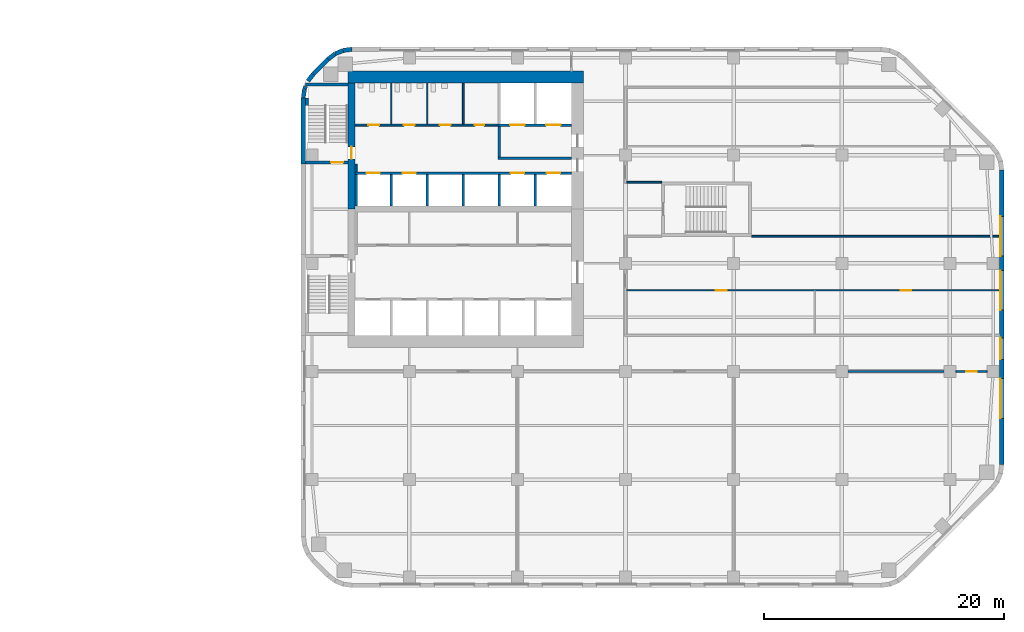
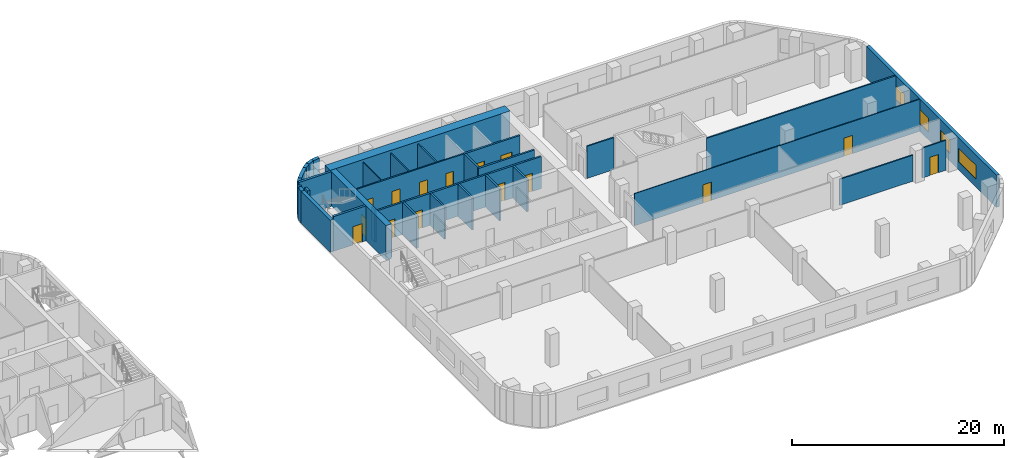
# One storey, part 10 of 15: 34 walls, 15 doors, 4 windows, 19 openings.
"""IFC4 building model written with IfcOpenShell, lengths in metres."""

from ifc_helpers import new_model, si_unit, direction, frame, frame_2d, origin, place, context, subcontext, project, spatial, rectangle, extrude, material, layer, layer_set, type_object, element, fill, save


model = new_model("IFC4")

# Units and contexts
model_context = context("Model", 3, precision=1e-05, world=origin(), true_north=direction((0.0, 1.0)))
body_context = subcontext(model_context, "Body", "Model", "MODEL_VIEW")
ifc_project = project(units=[si_unit("LENGTHUNIT", "METRE"), si_unit("AREAUNIT", "SQUARE_METRE"), si_unit("VOLUMEUNIT", "CUBIC_METRE"), si_unit("PLANEANGLEUNIT", "RADIAN"), si_unit("MASSUNIT", "GRAM", prefix="KILO")], contexts=[model_context])

# Site, building, storey
site_placement = place(None, origin())
site = spatial("IfcSite", under=ifc_project, at=site_placement, CompositionType="ELEMENT")
building_placement = place(site_placement, origin())
building = spatial("IfcBuilding", under=site, at=building_placement, Name="Cinnabar Reach Civic Tower", CompositionType="ELEMENT")
storey_placement = place(building_placement, frame((0.0, 0.0, 91.0)))
storey = spatial("IfcBuildingStorey", under=building, at=storey_placement, Name="L21", CompositionType="ELEMENT", Elevation=91.0)

# Walls
ifc_material_1 = material(Name="Facing brick with insulated backing", Category="masonry")
ifc_layer_1 = layer(ifc_material_1, 0.36)
ifc_layer_set_1 = layer_set([ifc_layer_1], Name="Brick corner wall")
wall_type_1 = type_object("IfcWallType", Name="Brick corner wall", PredefinedType="STANDARD", material=ifc_layer_set_1)
for number, where, z_axis, x_axis, name in (
    (1, (4.2314, 44.817, 0.0), (0.0, 0.0, 1.0), (-0.99144092581, -0.13055608231, 0.0), "Brick corner wall"),
    (2, (3.5027, 44.7181, 0.0), (0.0, 0.0, 1.0), (-0.923871547278, -0.382702709855, 0.0), "Brick corner wall"),
):
    element("IfcWall", number, at=place(storey_placement, frame(where, z_axis=z_axis, x_axis=x_axis)), inside=storey, type_object=wall_type_1, Name=name, PredefinedType="STANDARD", context=body_context, shape_type="SweptSolid", body=[
        extrude(rectangle(XDim=0.7131, YDim=0.36, at=frame_2d((0.3565, 0.0))), origin(), (0.0, 0.0, 1.0), 3.7),
    ])
for number, where, z_axis, x_axis, name in (
    (3, (2.8245, 44.434, 0.0), (0.0, 0.0, 1.0), (-0.793321924995, -0.608802368033, 0.0), "Brick corner wall"),
    (4, (1.0002, 42.7413, 0.0), (0.0, 0.0, 1.0), (-0.608802368033, -0.793321924995, 0.0), "Brick corner wall"),
):
    element("IfcWall", number, at=place(storey_placement, frame(where, z_axis=z_axis, x_axis=x_axis)), inside=storey, type_object=wall_type_1, Name=name, PredefinedType="STANDARD", context=body_context, shape_type="SweptSolid", body=[
        extrude(rectangle(XDim=0.7132, YDim=0.36, at=frame_2d((0.3566, 0.0))), origin(), (0.0, 0.0, 1.0), 3.7),
    ])
wall_1_placement = place(storey_placement, frame((0.3808, 41.736, 0.0), z_axis=(0.0, 0.0, 1.0), x_axis=(-0.382773360986, -0.923842277729, 0.0)))
element("IfcWall", 5, at=wall_1_placement, inside=storey, type_object=wall_type_1, Name="Brick corner wall", PredefinedType="STANDARD", context=body_context, shape_type="SweptSolid", body=[
    extrude(rectangle(XDim=0.2584, YDim=0.36, at=frame_2d((0.1292, 0.0))), origin(), (0.0, 0.0, 1.0), 3.7),
])
wall_2_placement = place(storey_placement, frame((0.2761, 41.4756, 0.0), z_axis=(0.0, 0.0, 1.0), x_axis=(-0.13055608231, -0.99144092581, 0.0)))
element("IfcWall", 6, at=wall_2_placement, inside=storey, type_object=wall_type_1, Name="Brick corner wall", PredefinedType="STANDARD", context=body_context, shape_type="SweptSolid", body=[
    extrude(rectangle(XDim=0.7131, YDim=0.36, at=frame_2d((0.3565, 0.0))), origin(), (0.0, 0.0, 1.0), 3.7),
])

# Wall, openings, windows
ifc_layer_2 = layer(ifc_material_1, 0.36)
ifc_layer_set_2 = layer_set([ifc_layer_2], Name="Brick pier and spandrel wall")
wall_type_2 = type_object("IfcWallType", Name="Brick pier and spandrel wall", PredefinedType="STANDARD", material=ifc_layer_set_2)
wall_3_placement = place(storey_placement, frame((58.32, 10.2426, 0.0), z_axis=(0.0, 0.0, 1.0), x_axis=(0.0, 1.0, 0.0)))
wall_3 = element("IfcWall", 7, at=wall_3_placement, inside=storey, type_object=wall_type_2, Name="Brick facade wall", PredefinedType="STANDARD", context=body_context, shape_type="SweptSolid", body=[
    extrude(rectangle(XDim=24.5148, YDim=0.36, at=frame_2d((12.2574, 0.0))), origin(), (0.0, 0.0, 1.0), 3.7),
])
opening_1_placement = place(wall_3_placement, frame((3.8574, 0.0, 0.9)))
opening_1 = element("IfcOpeningElement", 8, at=opening_1_placement, cuts=wall_3, Name="Opening W1439", PredefinedType="OPENING", context=body_context, shape_type="SweptSolid", body=[
    extrude(rectangle(XDim=3.3, YDim=1.6, at=frame_2d((1.65, 0.8))), frame((0.0, 0.19, 0.0), z_axis=(0.0, -1.0, 0.0), x_axis=(1.0, 0.0, 0.0)), (0.0, 0.0, 1.0), 0.38),
])
opening_2_placement = place(wall_3_placement, frame((8.7574, 0.0, 0.9)))
opening_2 = element("IfcOpeningElement", 9, at=opening_2_placement, cuts=wall_3, Name="Opening W1440", PredefinedType="OPENING", context=body_context, shape_type="SweptSolid", body=[
    extrude(rectangle(XDim=1.8, YDim=1.6, at=frame_2d((0.9, 0.8))), frame((0.0, 0.19, 0.0), z_axis=(0.0, -1.0, 0.0), x_axis=(1.0, 0.0, 0.0)), (0.0, 0.0, 1.0), 0.38),
])
opening_3_placement = place(wall_3_placement, frame((12.8574, 0.0, 0.9)))
opening_3 = element("IfcOpeningElement", 10, at=opening_3_placement, cuts=wall_3, Name="Opening W1441", PredefinedType="OPENING", context=body_context, shape_type="SweptSolid", body=[
    extrude(rectangle(XDim=3.3, YDim=1.6, at=frame_2d((1.65, 0.8))), frame((0.0, 0.19, 0.0), z_axis=(0.0, -1.0, 0.0), x_axis=(1.0, 0.0, 0.0)), (0.0, 0.0, 1.0), 0.38),
])
opening_4_placement = place(wall_3_placement, frame((17.3574, 0.0, 0.9)))
opening_4 = element("IfcOpeningElement", 11, at=opening_4_placement, cuts=wall_3, Name="Opening W1442", PredefinedType="OPENING", context=body_context, shape_type="SweptSolid", body=[
    extrude(rectangle(XDim=3.3, YDim=1.6, at=frame_2d((1.65, 0.8))), frame((0.0, 0.19, 0.0), z_axis=(0.0, -1.0, 0.0), x_axis=(1.0, 0.0, 0.0)), (0.0, 0.0, 1.0), 0.38),
])
ifc_material_2 = material(Name="Clear double glazing in aluminium frame", Category="aluminium")
window_type_1 = type_object("IfcWindowType", Name="Deep-set window A", PartitioningType="SINGLE_PANEL", PredefinedType="WINDOW", material=ifc_material_2)
window_1_placement = place(opening_1_placement, origin())
window_1 = element("IfcWindow", 12, at=window_1_placement, inside=storey, type_object=window_type_1, Name="Window east face", OverallHeight=1.6, OverallWidth=3.3, PartitioningType="SINGLE_PANEL", PredefinedType="WINDOW", context=body_context, shape_type="SweptSolid", body=[
    extrude(rectangle(XDim=3.3, YDim=1.6, at=frame_2d((1.65, 0.8))), frame((0.0, 0.13, 0.0), z_axis=(0.0, -1.0, 0.0), x_axis=(1.0, 0.0, 0.0)), (0.0, 0.0, 1.0), 0.06),
])
fill(opening_1, window_1)
window_2_placement = place(opening_3_placement, origin())
window_2 = element("IfcWindow", 13, at=window_2_placement, inside=storey, type_object=window_type_1, Name="Window east face", OverallHeight=1.6, OverallWidth=3.3, PartitioningType="SINGLE_PANEL", PredefinedType="WINDOW", context=body_context, shape_type="SweptSolid", body=[
    extrude(rectangle(XDim=3.3, YDim=1.6, at=frame_2d((1.65, 0.8))), frame((0.0, 0.13, 0.0), z_axis=(0.0, -1.0, 0.0), x_axis=(1.0, 0.0, 0.0)), (0.0, 0.0, 1.0), 0.06),
])
fill(opening_3, window_2)
window_3_placement = place(opening_4_placement, origin())
window_3 = element("IfcWindow", 14, at=window_3_placement, inside=storey, type_object=window_type_1, Name="Window east face", OverallHeight=1.6, OverallWidth=3.3, PartitioningType="SINGLE_PANEL", PredefinedType="WINDOW", context=body_context, shape_type="SweptSolid", body=[
    extrude(rectangle(XDim=3.3, YDim=1.6, at=frame_2d((1.65, 0.8))), frame((0.0, 0.13, 0.0), z_axis=(0.0, -1.0, 0.0), x_axis=(1.0, 0.0, 0.0)), (0.0, 0.0, 1.0), 0.06),
])
fill(opening_4, window_3)
window_type_2 = type_object("IfcWindowType", Name="Deep-set window D", PartitioningType="SINGLE_PANEL", PredefinedType="WINDOW", material=ifc_material_2)
window_4_placement = place(opening_2_placement, origin())
window_4 = element("IfcWindow", 15, at=window_4_placement, inside=storey, type_object=window_type_2, Name="Window east face", OverallHeight=1.6, OverallWidth=1.8, PartitioningType="SINGLE_PANEL", PredefinedType="WINDOW", context=body_context, shape_type="SweptSolid", body=[
    extrude(rectangle(XDim=1.8, YDim=1.6, at=frame_2d((0.9, 0.8))), frame((0.0, 0.13, 0.0), z_axis=(0.0, -1.0, 0.0), x_axis=(1.0, 0.0, 0.0)), (0.0, 0.0, 1.0), 0.06),
])
fill(opening_2, window_4)

# Walls
wall_4_placement = place(storey_placement, frame((2.2486, 43.994, 0.0), z_axis=(0.0, 0.0, 1.0), x_axis=(-0.707106781187, -0.707106781187, 0.0)))
element("IfcWall", 16, at=wall_4_placement, inside=storey, type_object=wall_type_2, Name="Brick facade wall", PredefinedType="STANDARD", context=body_context, shape_type="SweptSolid", body=[
    extrude(rectangle(XDim=1.7573, YDim=0.36, at=frame_2d((0.8787, 0.0))), origin(), (0.0, 0.0, 1.0), 3.7),
])
wall_5_placement = place(storey_placement, frame((0.18, 40.7574, 0.0), z_axis=(0.0, 0.0, 1.0), x_axis=(0.0, -1.0, 0.0)))
element("IfcWall", 17, at=wall_5_placement, inside=storey, type_object=wall_type_2, Name="Brick facade wall", PredefinedType="STANDARD", context=body_context, shape_type="SweptSolid", body=[
    extrude(rectangle(XDim=5.5074, YDim=0.36, at=frame_2d((2.7537, 0.0))), origin(), (0.0, 0.0, 1.0), 3.7),
])
ifc_material_3 = material(Name="Concrete C70", Category="concrete")
ifc_layer_3 = layer(ifc_material_3, 1.0)
ifc_layer_set_3 = layer_set([ifc_layer_3], Name="Core wall 1000 EI 180")
wall_type_3 = type_object("IfcWallType", Name="Core wall 1000 EI 180", PredefinedType="SOLIDWALL", material=ifc_layer_set_3)
wall_6_placement = place(storey_placement, frame((23.5, 42.5, 0.0), z_axis=(0.0, 0.0, 1.0), x_axis=(-1.0, 0.0, 0.0)))
element("IfcWall", 18, at=wall_6_placement, inside=storey, type_object=wall_type_3, Name="Core wall T1 L21 N", PredefinedType="SOLIDWALL", context=body_context, shape_type="SweptSolid", body=[
    extrude(rectangle(XDim=19.6, YDim=1.0, at=frame_2d((9.8, 0.0))), origin(), (0.0, 0.0, 1.0), 4.0),
])

# Wall, opening, door
ifc_layer_4 = layer(ifc_material_3, 0.6)
ifc_layer_set_4 = layer_set([ifc_layer_4], Name="Core wall 600 EI 180")
wall_type_4 = type_object("IfcWallType", Name="Core wall 600 EI 180", PredefinedType="SOLIDWALL", material=ifc_layer_set_4)
wall_7_placement = place(storey_placement, frame((4.2, 42.0, 0.0), z_axis=(0.0, 0.0, 1.0), x_axis=(0.0, -1.0, 0.0)))
wall_7 = element("IfcWall", 19, at=wall_7_placement, inside=storey, type_object=wall_type_4, Name="Core wall T1 L21 W", PredefinedType="SOLIDWALL", context=body_context, shape_type="SweptSolid", body=[
    extrude(rectangle(XDim=10.5, YDim=0.6, at=frame_2d((5.25, 0.0))), origin(), (0.0, 0.0, 1.0), 4.0),
])
opening_5_placement = place(wall_7_placement, frame((5.3, 0.0, 0.0)))
opening_5 = element("IfcOpeningElement", 20, at=opening_5_placement, cuts=wall_7, Name="Opening D3843", PredefinedType="OPENING", context=body_context, shape_type="SweptSolid", body=[
    extrude(rectangle(XDim=1.0, YDim=2.1, at=frame_2d((0.5, 1.05))), frame((0.0, 0.31, 0.0), z_axis=(0.0, -1.0, 0.0), x_axis=(1.0, 0.0, 0.0)), (0.0, 0.0, 1.0), 0.62),
])
ifc_material_4 = material(Name="Timber door leaf in steel frame", Category="steel")
door_type_1 = type_object("IfcDoorType", Name="Stair door 1000 x 2100 T1", OperationType="SINGLE_SWING_LEFT", PredefinedType="DOOR", material=ifc_material_4)
door_1_placement = place(opening_5_placement, frame((1.0, 0.0, 0.0), z_axis=(0.0, 0.0, 1.0), x_axis=(-1.0, 0.0, 0.0)))
door_1 = element("IfcDoor", 21, at=door_1_placement, inside=storey, type_object=door_type_1, Name="Door D3843", OperationType="SINGLE_SWING_LEFT", OverallHeight=2.1, OverallWidth=1.0, PredefinedType="DOOR", context=body_context, shape_type="SweptSolid", body=[
    extrude(rectangle(XDim=1.0, YDim=2.1, at=frame_2d((0.5, 1.05))), frame((0.0, 0.025, 0.0), z_axis=(0.0, -1.0, 0.0), x_axis=(1.0, 0.0, 0.0)), (0.0, 0.0, 1.0), 0.05),
])
fill(opening_5, door_1)

ifc_material_5 = material(Name="Gypsum board on steel studs, double layer", Category="steel")
ifc_layer_5 = layer(ifc_material_5, 0.15)
ifc_layer_set_5 = layer_set([ifc_layer_5], Name="Corridor wall 150 T1")
wall_type_5 = type_object("IfcWallType", Name="Corridor wall 150 T1", PredefinedType="PARTITIONING", material=ifc_layer_set_5)
wall_8_placement = place(storey_placement, frame((54.5, 18.0, 0.0), z_axis=(0.0, 0.0, 1.0), x_axis=(1.0, 0.0, 0.0)))
wall_8 = element("IfcWall", 22, at=wall_8_placement, inside=storey, type_object=wall_type_5, Name="Corridor wall 19", PredefinedType="PARTITIONING", context=body_context, shape_type="SweptSolid", body=[
    extrude(rectangle(XDim=2.6, YDim=0.15, at=frame_2d((1.3, 0.0))), origin(), (0.0, 0.0, 1.0), 3.452),
])
opening_6_placement = place(wall_8_placement, frame((0.85, 0.0, 0.0)))
opening_6 = element("IfcOpeningElement", 23, at=opening_6_placement, cuts=wall_8, Name="Opening D3875", PredefinedType="OPENING", context=body_context, shape_type="SweptSolid", body=[
    extrude(rectangle(XDim=0.9, YDim=2.1, at=frame_2d((0.45, 1.05))), frame((0.0, 0.085, 0.0), z_axis=(0.0, -1.0, 0.0), x_axis=(1.0, 0.0, 0.0)), (0.0, 0.0, 1.0), 0.17),
])
door_type_2 = type_object("IfcDoorType", Name="Single swing door 900 x 2100 corridor T1", OperationType="SINGLE_SWING_LEFT", PredefinedType="DOOR", material=ifc_material_4)
door_2_placement = place(opening_6_placement, frame((0.9, 0.0, 0.0), z_axis=(0.0, 0.0, 1.0), x_axis=(-1.0, 0.0, 0.0)))
door_2 = element("IfcDoor", 24, at=door_2_placement, inside=storey, type_object=door_type_2, Name="Door D3875", OperationType="SINGLE_SWING_LEFT", OverallHeight=2.1, OverallWidth=0.9, PredefinedType="DOOR", context=body_context, shape_type="SweptSolid", body=[
    extrude(rectangle(XDim=0.9, YDim=2.1, at=frame_2d((0.45, 1.05))), frame((0.0, 0.025, 0.0), z_axis=(0.0, -1.0, 0.0), x_axis=(1.0, 0.0, 0.0)), (0.0, 0.0, 1.0), 0.05),
])
fill(opening_6, door_2)

# Wall
wall_9_placement = place(storey_placement, frame((45.5, 18.0, 0.0), z_axis=(0.0, 0.0, 1.0), x_axis=(1.0, 0.0, 0.0)))
element("IfcWall", 25, at=wall_9_placement, inside=storey, type_object=wall_type_5, Name="Corridor wall 20", PredefinedType="PARTITIONING", context=body_context, shape_type="SweptSolid", body=[
    extrude(rectangle(XDim=8.0, YDim=0.15, at=frame_2d((4.0, 0.0))), origin(), (0.0, 0.0, 1.0), 3.0),
])

# Wall, openings, doors
wall_10_placement = place(storey_placement, frame((4.5, 38.5, 0.0), z_axis=(0.0, 0.0, 1.0), x_axis=(1.0, 0.0, 0.0)))
wall_10 = element("IfcWall", 26, at=wall_10_placement, inside=storey, type_object=wall_type_5, Name="Corridor wall 29", PredefinedType="PARTITIONING", context=body_context, shape_type="SweptSolid", body=[
    extrude(rectangle(XDim=11.9, YDim=0.15, at=frame_2d((5.95, 0.0))), origin(), (0.0, 0.0, 1.0), 3.7),
])
opening_7_placement = place(wall_10_placement, frame((1.1, 0.0, 0.0)))
opening_7 = element("IfcOpeningElement", 27, at=opening_7_placement, cuts=wall_10, Name="Opening D3864", PredefinedType="OPENING", context=body_context, shape_type="SweptSolid", body=[
    extrude(rectangle(XDim=0.9, YDim=2.1, at=frame_2d((0.45, 1.05))), frame((0.0, 0.085, 0.0), z_axis=(0.0, -1.0, 0.0), x_axis=(1.0, 0.0, 0.0)), (0.0, 0.0, 1.0), 0.17),
])
opening_8_placement = place(wall_10_placement, frame((4.05, 0.0, 0.0)))
opening_8 = element("IfcOpeningElement", 28, at=opening_8_placement, cuts=wall_10, Name="Opening D3865", PredefinedType="OPENING", context=body_context, shape_type="SweptSolid", body=[
    extrude(rectangle(XDim=0.9, YDim=2.1, at=frame_2d((0.45, 1.05))), frame((0.0, 0.085, 0.0), z_axis=(0.0, -1.0, 0.0), x_axis=(1.0, 0.0, 0.0)), (0.0, 0.0, 1.0), 0.17),
])
opening_9_placement = place(wall_10_placement, frame((7.05, 0.0, 0.0)))
opening_9 = element("IfcOpeningElement", 29, at=opening_9_placement, cuts=wall_10, Name="Opening D3866", PredefinedType="OPENING", context=body_context, shape_type="SweptSolid", body=[
    extrude(rectangle(XDim=0.9, YDim=2.1, at=frame_2d((0.45, 1.05))), frame((0.0, 0.085, 0.0), z_axis=(0.0, -1.0, 0.0), x_axis=(1.0, 0.0, 0.0)), (0.0, 0.0, 1.0), 0.17),
])
opening_10_placement = place(wall_10_placement, frame((9.95, 0.0, 0.0)))
opening_10 = element("IfcOpeningElement", 30, at=opening_10_placement, cuts=wall_10, Name="Opening D3867", PredefinedType="OPENING", context=body_context, shape_type="SweptSolid", body=[
    extrude(rectangle(XDim=0.8, YDim=2.1, at=frame_2d((0.4, 1.05))), frame((0.0, 0.085, 0.0), z_axis=(0.0, -1.0, 0.0), x_axis=(1.0, 0.0, 0.0)), (0.0, 0.0, 1.0), 0.17),
])
door_type_3 = type_object("IfcDoorType", Name="Riser access door 800 x 2100 T1", OperationType="SINGLE_SWING_LEFT", PredefinedType="DOOR", material=ifc_material_4)
door_3_placement = place(opening_10_placement, origin())
door_3 = element("IfcDoor", 31, at=door_3_placement, inside=storey, type_object=door_type_3, Name="Door D3867", OperationType="SINGLE_SWING_LEFT", OverallHeight=2.1, OverallWidth=0.8, PredefinedType="DOOR", context=body_context, shape_type="SweptSolid", body=[
    extrude(rectangle(XDim=0.8, YDim=2.1, at=frame_2d((0.4, 1.05))), frame((0.0, 0.025, 0.0), z_axis=(0.0, -1.0, 0.0), x_axis=(1.0, 0.0, 0.0)), (0.0, 0.0, 1.0), 0.05),
])
fill(opening_10, door_3)
door_4_placement = place(opening_7_placement, origin())
door_4 = element("IfcDoor", 32, at=door_4_placement, inside=storey, type_object=door_type_2, Name="Door D3864", OperationType="SINGLE_SWING_LEFT", OverallHeight=2.1, OverallWidth=0.9, PredefinedType="DOOR", context=body_context, shape_type="SweptSolid", body=[
    extrude(rectangle(XDim=0.9, YDim=2.1, at=frame_2d((0.45, 1.05))), frame((0.0, 0.025, 0.0), z_axis=(0.0, -1.0, 0.0), x_axis=(1.0, 0.0, 0.0)), (0.0, 0.0, 1.0), 0.05),
])
fill(opening_7, door_4)
door_5_placement = place(opening_8_placement, origin())
door_5 = element("IfcDoor", 33, at=door_5_placement, inside=storey, type_object=door_type_2, Name="Door D3865", OperationType="SINGLE_SWING_LEFT", OverallHeight=2.1, OverallWidth=0.9, PredefinedType="DOOR", context=body_context, shape_type="SweptSolid", body=[
    extrude(rectangle(XDim=0.9, YDim=2.1, at=frame_2d((0.45, 1.05))), frame((0.0, 0.025, 0.0), z_axis=(0.0, -1.0, 0.0), x_axis=(1.0, 0.0, 0.0)), (0.0, 0.0, 1.0), 0.05),
])
fill(opening_8, door_5)
door_6_placement = place(opening_9_placement, origin())
door_6 = element("IfcDoor", 34, at=door_6_placement, inside=storey, type_object=door_type_2, Name="Door D3866", OperationType="SINGLE_SWING_RIGHT", OverallHeight=2.1, OverallWidth=0.9, PredefinedType="DOOR", context=body_context, shape_type="SweptSolid", body=[
    extrude(rectangle(XDim=0.9, YDim=2.1, at=frame_2d((0.45, 1.05))), frame((0.0, 0.025, 0.0), z_axis=(0.0, -1.0, 0.0), x_axis=(1.0, 0.0, 0.0)), (0.0, 0.0, 1.0), 0.05),
])
fill(opening_9, door_6)

# Walls
wall_11_placement = place(storey_placement, frame((27.075, 33.75, 0.0), z_axis=(0.0, 0.0, 1.0), x_axis=(1.0, 0.0, 0.0)))
element("IfcWall", 35, at=wall_11_placement, inside=storey, type_object=wall_type_5, Name="Corridor wall 37", PredefinedType="PARTITIONING", context=body_context, shape_type="SweptSolid", body=[
    extrude(rectangle(XDim=2.925, YDim=0.15, at=frame_2d((1.4625, 0.0))), origin(), (0.0, 0.0, 1.0), 3.7),
])
wall_12_placement = place(storey_placement, frame((4.575, 34.6, 0.0), z_axis=(0.0, 0.0, 1.0), x_axis=(0.0, 1.0, 0.0)))
element("IfcWall", 36, at=wall_12_placement, inside=storey, type_object=wall_type_5, Name="Corridor wall 39", PredefinedType="PARTITIONING", context=body_context, shape_type="SweptSolid", body=[
    extrude(rectangle(XDim=0.65, YDim=0.15, at=frame_2d((0.325, 0.0))), origin(), (0.0, 0.0, 1.0), 3.7),
])

# Wall, openings, doors
ifc_material_6 = material(Name="Blockwork", Category="masonry")
ifc_layer_6 = layer(ifc_material_6, 0.2)
ifc_layer_set_6 = layer_set([ifc_layer_6], Name="Lift shaft wall 200 T1")
wall_type_6 = type_object("IfcWallType", Name="Lift shaft wall 200 T1", PredefinedType="PARTITIONING", material=ifc_layer_set_6)
wall_13_placement = place(storey_placement, frame((4.5, 34.5, 0.0), z_axis=(0.0, 0.0, 1.0), x_axis=(1.0, 0.0, 0.0)))
wall_13 = element("IfcWall", 37, at=wall_13_placement, inside=storey, type_object=wall_type_6, Name="Lift shaft wall 5", PredefinedType="PARTITIONING", context=body_context, shape_type="SweptSolid", body=[
    extrude(rectangle(XDim=18.0, YDim=0.2, at=frame_2d((9.0, 0.0))), origin(), (0.0, 0.0, 1.0), 3.7),
])
opening_11_placement = place(wall_13_placement, frame((0.95, 0.0, 0.0)))
opening_11 = element("IfcOpeningElement", 38, at=opening_11_placement, cuts=wall_13, Name="Opening D3851", PredefinedType="OPENING", context=body_context, shape_type="SweptSolid", body=[
    extrude(rectangle(XDim=1.1, YDim=2.1, at=frame_2d((0.55, 1.05))), frame((0.0, 0.11, 0.0), z_axis=(0.0, -1.0, 0.0), x_axis=(1.0, 0.0, 0.0)), (0.0, 0.0, 1.0), 0.22),
])
opening_12_placement = place(wall_13_placement, frame((3.95, 0.0, 0.0)))
opening_12 = element("IfcOpeningElement", 39, at=opening_12_placement, cuts=wall_13, Name="Opening D3852", PredefinedType="OPENING", context=body_context, shape_type="SweptSolid", body=[
    extrude(rectangle(XDim=1.1, YDim=2.1, at=frame_2d((0.55, 1.05))), frame((0.0, 0.11, 0.0), z_axis=(0.0, -1.0, 0.0), x_axis=(1.0, 0.0, 0.0)), (0.0, 0.0, 1.0), 0.22),
])
opening_13_placement = place(wall_13_placement, frame((12.95, 0.0, 0.0)))
opening_13 = element("IfcOpeningElement", 40, at=opening_13_placement, cuts=wall_13, Name="Opening D3853", PredefinedType="OPENING", context=body_context, shape_type="SweptSolid", body=[
    extrude(rectangle(XDim=1.1, YDim=2.1, at=frame_2d((0.55, 1.05))), frame((0.0, 0.11, 0.0), z_axis=(0.0, -1.0, 0.0), x_axis=(1.0, 0.0, 0.0)), (0.0, 0.0, 1.0), 0.22),
])
opening_14_placement = place(wall_13_placement, frame((15.95, 0.0, 0.0)))
opening_14 = element("IfcOpeningElement", 41, at=opening_14_placement, cuts=wall_13, Name="Opening D3854", PredefinedType="OPENING", context=body_context, shape_type="SweptSolid", body=[
    extrude(rectangle(XDim=1.1, YDim=2.1, at=frame_2d((0.55, 1.05))), frame((0.0, 0.11, 0.0), z_axis=(0.0, -1.0, 0.0), x_axis=(1.0, 0.0, 0.0)), (0.0, 0.0, 1.0), 0.22),
])
ifc_material_7 = material(Name="Stainless steel sliding door", Category="steel")
door_type_4 = type_object("IfcDoorType", Name="Lift landing door 1100 x 2100 T1", OperationType="SLIDING_TO_LEFT", PredefinedType="DOOR", material=ifc_material_7)
door_7_placement = place(opening_11_placement, origin())
door_7 = element("IfcDoor", 42, at=door_7_placement, inside=storey, type_object=door_type_4, Name="Lift landing door SH1 L21", OperationType="SLIDING_TO_LEFT", OverallHeight=2.1, OverallWidth=1.1, PredefinedType="DOOR", context=body_context, shape_type="SweptSolid", body=[
    extrude(rectangle(XDim=1.1, YDim=2.1, at=frame_2d((0.55, 1.05))), frame((0.0, 0.025, 0.0), z_axis=(0.0, -1.0, 0.0), x_axis=(1.0, 0.0, 0.0)), (0.0, 0.0, 1.0), 0.05),
])
fill(opening_11, door_7)
door_8_placement = place(opening_12_placement, origin())
door_8 = element("IfcDoor", 43, at=door_8_placement, inside=storey, type_object=door_type_4, Name="Lift landing door SH2 L21", OperationType="SLIDING_TO_LEFT", OverallHeight=2.1, OverallWidth=1.1, PredefinedType="DOOR", context=body_context, shape_type="SweptSolid", body=[
    extrude(rectangle(XDim=1.1, YDim=2.1, at=frame_2d((0.55, 1.05))), frame((0.0, 0.025, 0.0), z_axis=(0.0, -1.0, 0.0), x_axis=(1.0, 0.0, 0.0)), (0.0, 0.0, 1.0), 0.05),
])
fill(opening_12, door_8)
door_9_placement = place(opening_13_placement, origin())
door_9 = element("IfcDoor", 44, at=door_9_placement, inside=storey, type_object=door_type_4, Name="Lift landing door SV1 L21", OperationType="SLIDING_TO_LEFT", OverallHeight=2.1, OverallWidth=1.1, PredefinedType="DOOR", context=body_context, shape_type="SweptSolid", body=[
    extrude(rectangle(XDim=1.1, YDim=2.1, at=frame_2d((0.55, 1.05))), frame((0.0, 0.025, 0.0), z_axis=(0.0, -1.0, 0.0), x_axis=(1.0, 0.0, 0.0)), (0.0, 0.0, 1.0), 0.05),
])
fill(opening_13, door_9)
door_10_placement = place(opening_14_placement, origin())
door_10 = element("IfcDoor", 45, at=door_10_placement, inside=storey, type_object=door_type_4, Name="Lift landing door SV2 L21", OperationType="SLIDING_TO_LEFT", OverallHeight=2.1, OverallWidth=1.1, PredefinedType="DOOR", context=body_context, shape_type="SweptSolid", body=[
    extrude(rectangle(XDim=1.1, YDim=2.1, at=frame_2d((0.55, 1.05))), frame((0.0, 0.025, 0.0), z_axis=(0.0, -1.0, 0.0), x_axis=(1.0, 0.0, 0.0)), (0.0, 0.0, 1.0), 0.05),
])
fill(opening_14, door_10)

# Walls
for number, where, z_axis, x_axis, name in (
    (46, (4.6, 31.75, 0.0), (0.0, 0.0, 1.0), (0.0, 1.0, 0.0), "Lift shaft wall 8"),
    (47, (7.5, 31.75, 0.0), (0.0, 0.0, 1.0), (0.0, 1.0, 0.0), "Lift shaft wall 10"),
    (48, (10.5, 31.75, 0.0), (0.0, 0.0, 1.0), (0.0, 1.0, 0.0), "Lift shaft wall 12"),
    (49, (13.5, 31.75, 0.0), (0.0, 0.0, 1.0), (0.0, 1.0, 0.0), "Lift shaft wall 14"),
    (50, (16.5, 31.75, 0.0), (0.0, 0.0, 1.0), (0.0, 1.0, 0.0), "Lift shaft wall 16"),
    (51, (19.5, 31.75, 0.0), (0.0, 0.0, 1.0), (0.0, 1.0, 0.0), "Lift shaft wall 18"),
):
    element("IfcWall", number, at=place(storey_placement, frame(where, z_axis=z_axis, x_axis=x_axis)), inside=storey, type_object=wall_type_6, Name=name, PredefinedType="PARTITIONING", context=body_context, shape_type="SweptSolid", body=[
        extrude(rectangle(XDim=2.65, YDim=0.2, at=frame_2d((1.325, 0.0))), origin(), (0.0, 0.0, 1.0), 3.7),
    ])

# Wall, openings, doors
ifc_material_8 = material(Name="Gypsum board on steel studs", Category="steel")
ifc_layer_7 = layer(ifc_material_8, 0.1)
ifc_layer_set_7 = layer_set([ifc_layer_7], Name="Partition wall 100 T1")
wall_type_7 = type_object("IfcWallType", Name="Partition wall 100 T1", PredefinedType="PARTITIONING", material=ifc_layer_set_7)
wall_14_placement = place(storey_placement, frame((27.075, 24.75, 0.0), z_axis=(0.0, 0.0, 1.0), x_axis=(1.0, 0.0, 0.0)))
wall_14 = element("IfcWall", 52, at=wall_14_placement, inside=storey, type_object=wall_type_7, Name="Partition wall 42", PredefinedType="PARTITIONING", context=body_context, shape_type="SweptSolid", body=[
    extrude(rectangle(XDim=31.065, YDim=0.1, at=frame_2d((15.5325, 0.0))), origin(), (0.0, 0.0, 1.0), 3.7),
])
opening_15_placement = place(wall_14_placement, frame((7.45, 0.0, 0.0)))
opening_15 = element("IfcOpeningElement", 53, at=opening_15_placement, cuts=wall_14, Name="Opening D3871", PredefinedType="OPENING", context=body_context, shape_type="SweptSolid", body=[
    extrude(rectangle(XDim=0.9, YDim=2.1, at=frame_2d((0.45, 1.05))), frame((0.0, 0.06, 0.0), z_axis=(0.0, -1.0, 0.0), x_axis=(1.0, 0.0, 0.0)), (0.0, 0.0, 1.0), 0.12),
])
opening_16_placement = place(wall_14_placement, frame((22.825, 0.0, 0.0)))
opening_16 = element("IfcOpeningElement", 54, at=opening_16_placement, cuts=wall_14, Name="Opening D3872", PredefinedType="OPENING", context=body_context, shape_type="SweptSolid", body=[
    extrude(rectangle(XDim=0.9, YDim=2.1, at=frame_2d((0.45, 1.05))), frame((0.0, 0.06, 0.0), z_axis=(0.0, -1.0, 0.0), x_axis=(1.0, 0.0, 0.0)), (0.0, 0.0, 1.0), 0.12),
])
door_type_5 = type_object("IfcDoorType", Name="Single swing door 900 x 2100 T1", OperationType="SINGLE_SWING_LEFT", PredefinedType="DOOR", material=ifc_material_4)
door_11_placement = place(opening_15_placement, frame((0.9, 0.0, 0.0), z_axis=(0.0, 0.0, 1.0), x_axis=(-1.0, 0.0, 0.0)))
door_11 = element("IfcDoor", 55, at=door_11_placement, inside=storey, type_object=door_type_5, Name="Door D3871", OperationType="SINGLE_SWING_RIGHT", OverallHeight=2.1, OverallWidth=0.9, PredefinedType="DOOR", context=body_context, shape_type="SweptSolid", body=[
    extrude(rectangle(XDim=0.9, YDim=2.1, at=frame_2d((0.45, 1.05))), frame((0.0, 0.025, 0.0), z_axis=(0.0, -1.0, 0.0), x_axis=(1.0, 0.0, 0.0)), (0.0, 0.0, 1.0), 0.05),
])
fill(opening_15, door_11)
door_12_placement = place(opening_16_placement, frame((0.9, 0.0, 0.0), z_axis=(0.0, 0.0, 1.0), x_axis=(-1.0, 0.0, 0.0)))
door_12 = element("IfcDoor", 56, at=door_12_placement, inside=storey, type_object=door_type_5, Name="Door D3872", OperationType="SINGLE_SWING_LEFT", OverallHeight=2.1, OverallWidth=0.9, PredefinedType="DOOR", context=body_context, shape_type="SweptSolid", body=[
    extrude(rectangle(XDim=0.9, YDim=2.1, at=frame_2d((0.45, 1.05))), frame((0.0, 0.025, 0.0), z_axis=(0.0, -1.0, 0.0), x_axis=(1.0, 0.0, 0.0)), (0.0, 0.0, 1.0), 0.05),
])
fill(opening_16, door_12)

# Walls
for number, where, z_axis, x_axis, name in (
    (57, (7.5, 38.575, 0.0), (0.0, 0.0, 1.0), (0.0, 1.0, 0.0), "Partition wall 49"),
    (58, (10.5, 38.575, 0.0), (0.0, 0.0, 1.0), (0.0, 1.0, 0.0), "Partition wall 50"),
):
    element("IfcWall", number, at=place(storey_placement, frame(where, z_axis=z_axis, x_axis=x_axis)), inside=storey, type_object=wall_type_7, Name=name, PredefinedType="PARTITIONING", context=body_context, shape_type="SweptSolid", body=[
        extrude(rectangle(XDim=3.425, YDim=0.1, at=frame_2d((1.7125, 0.0))), origin(), (0.0, 0.0, 1.0), 3.7),
    ])
ifc_material_9 = material(Name="Concrete C40", Category="concrete")
ifc_layer_8 = layer(ifc_material_9, 0.2)
ifc_layer_set_8 = layer_set([ifc_layer_8], Name="Refuge compartment wall 200 T1")
wall_type_8 = type_object("IfcWallType", Name="Refuge compartment wall 200 T1", PredefinedType="PARTITIONING", material=ifc_layer_set_8)
wall_15_placement = place(storey_placement, frame((16.4, 35.75, 0.0), z_axis=(0.0, 0.0, 1.0), x_axis=(1.0, 0.0, 0.0)))
element("IfcWall", 59, at=wall_15_placement, inside=storey, type_object=wall_type_8, Name="Refuge compartment wall 1", PredefinedType="PARTITIONING", context=body_context, shape_type="SweptSolid", body=[
    extrude(rectangle(XDim=6.1, YDim=0.2, at=frame_2d((3.05, 0.0))), origin(), (0.0, 0.0, 1.0), 3.7),
])

# Wall, openings, doors
wall_16_placement = place(storey_placement, frame((16.4, 38.5, 0.0), z_axis=(0.0, 0.0, 1.0), x_axis=(1.0, 0.0, 0.0)))
wall_16 = element("IfcWall", 60, at=wall_16_placement, inside=storey, type_object=wall_type_8, Name="Refuge compartment wall 2", PredefinedType="PARTITIONING", context=body_context, shape_type="SweptSolid", body=[
    extrude(rectangle(XDim=6.1, YDim=0.2, at=frame_2d((3.05, 0.0))), origin(), (0.0, 0.0, 1.0), 3.7),
])
opening_17_placement = place(wall_16_placement, frame((1.0, 0.0, 0.0)))
opening_17 = element("IfcOpeningElement", 61, at=opening_17_placement, cuts=wall_16, Name="Opening D3855", PredefinedType="OPENING", context=body_context, shape_type="SweptSolid", body=[
    extrude(rectangle(XDim=1.2, YDim=2.1, at=frame_2d((0.6, 1.05))), frame((0.0, 0.11, 0.0), z_axis=(0.0, -1.0, 0.0), x_axis=(1.0, 0.0, 0.0)), (0.0, 0.0, 1.0), 0.22),
])
opening_18_placement = place(wall_16_placement, frame((4.0, 0.0, 0.0)))
opening_18 = element("IfcOpeningElement", 62, at=opening_18_placement, cuts=wall_16, Name="Opening D3856", PredefinedType="OPENING", context=body_context, shape_type="SweptSolid", body=[
    extrude(rectangle(XDim=1.2, YDim=2.1, at=frame_2d((0.6, 1.05))), frame((0.0, 0.11, 0.0), z_axis=(0.0, -1.0, 0.0), x_axis=(1.0, 0.0, 0.0)), (0.0, 0.0, 1.0), 0.22),
])
door_type_6 = type_object("IfcDoorType", Name="Firefighting lift landing door 1200 x 2100 T1", OperationType="SLIDING_TO_LEFT", PredefinedType="DOOR", material=ifc_material_7)
door_13_placement = place(opening_17_placement, origin())
door_13 = element("IfcDoor", 63, at=door_13_placement, inside=storey, type_object=door_type_6, Name="Lift landing door FF1 L21", OperationType="SLIDING_TO_LEFT", OverallHeight=2.1, OverallWidth=1.2, PredefinedType="DOOR", context=body_context, shape_type="SweptSolid", body=[
    extrude(rectangle(XDim=1.2, YDim=2.1, at=frame_2d((0.6, 1.05))), frame((0.0, 0.025, 0.0), z_axis=(0.0, -1.0, 0.0), x_axis=(1.0, 0.0, 0.0)), (0.0, 0.0, 1.0), 0.05),
])
fill(opening_17, door_13)
door_14_placement = place(opening_18_placement, origin())
door_14 = element("IfcDoor", 64, at=door_14_placement, inside=storey, type_object=door_type_6, Name="Lift landing door FF2 L21", OperationType="SLIDING_TO_LEFT", OverallHeight=2.1, OverallWidth=1.2, PredefinedType="DOOR", context=body_context, shape_type="SweptSolid", body=[
    extrude(rectangle(XDim=1.2, YDim=2.1, at=frame_2d((0.6, 1.05))), frame((0.0, 0.025, 0.0), z_axis=(0.0, -1.0, 0.0), x_axis=(1.0, 0.0, 0.0)), (0.0, 0.0, 1.0), 0.05),
])
fill(opening_18, door_14)

# Walls
wall_17_placement = place(storey_placement, frame((16.5, 35.85, 0.0), z_axis=(0.0, 0.0, 1.0), x_axis=(0.0, 1.0, 0.0)))
element("IfcWall", 65, at=wall_17_placement, inside=storey, type_object=wall_type_8, Name="Refuge compartment wall 3", PredefinedType="PARTITIONING", context=body_context, shape_type="SweptSolid", body=[
    extrude(rectangle(XDim=2.55, YDim=0.2, at=frame_2d((1.275, 0.0))), origin(), (0.0, 0.0, 1.0), 3.7),
])
ifc_layer_9 = layer(ifc_material_6, 0.15)
ifc_layer_set_9 = layer_set([ifc_layer_9], Name="Riser wall 150 T1")
wall_type_9 = type_object("IfcWallType", Name="Riser wall 150 T1", PredefinedType="PARTITIONING", material=ifc_layer_set_9)
wall_18_placement = place(storey_placement, frame((13.5, 38.575, 0.0), z_axis=(0.0, 0.0, 1.0), x_axis=(0.0, 1.0, 0.0)))
element("IfcWall", 66, at=wall_18_placement, inside=storey, type_object=wall_type_9, Name="Riser wall 40", PredefinedType="PARTITIONING", context=body_context, shape_type="SweptSolid", body=[
    extrude(rectangle(XDim=3.425, YDim=0.15, at=frame_2d((1.7125, 0.0))), origin(), (0.0, 0.0, 1.0), 3.7),
])

# Wall, opening, door
ifc_material_10 = material(Name="Concrete C60", Category="concrete")
ifc_layer_10 = layer(ifc_material_10, 0.25)
ifc_layer_set_10 = layer_set([ifc_layer_10], Name="Stair shaft wall 250 EI 120")
wall_type_10 = type_object("IfcWallType", Name="Stair shaft wall 250 EI 120", PredefinedType="SOLIDWALL", material=ifc_layer_set_10)
wall_19_placement = place(storey_placement, frame((0.36, 35.375, 0.0), z_axis=(0.0, 0.0, 1.0), x_axis=(1.0, 0.0, 0.0)))
wall_19 = element("IfcWall", 67, at=wall_19_placement, inside=storey, type_object=wall_type_10, Name="Stair shaft wall T1-S2 L21", PredefinedType="SOLIDWALL", context=body_context, shape_type="SweptSolid", body=[
    extrude(rectangle(XDim=3.54, YDim=0.25, at=frame_2d((1.77, 0.0))), origin(), (0.0, 0.0, 1.0), 4.0),
])
opening_19_placement = place(wall_19_placement, frame((2.14, 0.0, 0.0)))
opening_19 = element("IfcOpeningElement", 68, at=opening_19_placement, cuts=wall_19, Name="Opening D3844", PredefinedType="OPENING", context=body_context, shape_type="SweptSolid", body=[
    extrude(rectangle(XDim=1.0, YDim=2.1, at=frame_2d((0.5, 1.05))), frame((0.0, 0.135, 0.0), z_axis=(0.0, -1.0, 0.0), x_axis=(1.0, 0.0, 0.0)), (0.0, 0.0, 1.0), 0.27),
])
door_15_placement = place(opening_19_placement, origin())
door_15 = element("IfcDoor", 69, at=door_15_placement, inside=storey, type_object=door_type_1, Name="Door D3844", OperationType="SINGLE_SWING_RIGHT", OverallHeight=2.1, OverallWidth=1.0, PredefinedType="DOOR", context=body_context, shape_type="SweptSolid", body=[
    extrude(rectangle(XDim=1.0, YDim=2.1, at=frame_2d((0.5, 1.05))), frame((0.0, 0.025, 0.0), z_axis=(0.0, -1.0, 0.0), x_axis=(1.0, 0.0, 0.0)), (0.0, 0.0, 1.0), 0.05),
])
fill(opening_19, door_15)

# Walls
wall_20_placement = place(storey_placement, frame((3.9, 41.875, 0.0), z_axis=(0.0, 0.0, 1.0), x_axis=(-1.0, 0.0, 0.0)))
element("IfcWall", 70, at=wall_20_placement, inside=storey, type_object=wall_type_10, Name="Stair shaft wall T1-S2 L21", PredefinedType="SOLIDWALL", context=body_context, shape_type="SweptSolid", body=[
    extrude(rectangle(XDim=3.54, YDim=0.25, at=frame_2d((1.77, 0.0))), origin(), (0.0, 0.0, 1.0), 4.0),
])
ifc_material_11 = material(Name="Concrete C40/50", Category="concrete")
ifc_layer_11 = layer(ifc_material_11, 0.24)
ifc_layer_set_11 = layer_set([ifc_layer_11], Name="T1 landing bearer wall 240")
wall_type_11 = type_object("IfcWallType", Name="T1 landing bearer wall 240", PredefinedType="STANDARD", material=ifc_layer_set_11)
wall_21_placement = place(storey_placement, frame((0.48, 40.13, 0.0), z_axis=(0.0, 0.0, 1.0), x_axis=(0.0, 1.0, 0.0)))
element("IfcWall", 71, at=wall_21_placement, inside=storey, type_object=wall_type_11, Name="T1-S2 landing bearer wall", PredefinedType="STANDARD", context=body_context, shape_type="SweptSolid", body=[
    extrude(rectangle(XDim=0.6151, YDim=0.24, at=frame_2d((0.3075, 0.0))), origin(), (0.0, 0.0, 1.0), 4.0),
])
ifc_layer_12 = layer(ifc_material_5, 0.15)
ifc_layer_set_12 = layer_set([ifc_layer_12], Name="Tenancy separating wall 150 T1")
wall_type_12 = type_object("IfcWallType", Name="Tenancy separating wall 150 T1", PredefinedType="PARTITIONING", material=ifc_layer_set_12)
wall_22_placement = place(storey_placement, frame((37.5, 29.25, 0.0), z_axis=(0.0, 0.0, 1.0), x_axis=(1.0, 0.0, 0.0)))
element("IfcWall", 72, at=wall_22_placement, inside=storey, type_object=wall_type_12, Name="Tenancy separating wall 41", PredefinedType="PARTITIONING", context=body_context, shape_type="SweptSolid", body=[
    extrude(rectangle(XDim=20.64, YDim=0.15, at=frame_2d((10.32, 0.0))), origin(), (0.0, 0.0, 1.0), 3.7),
])

save(model, "model.ifc")
